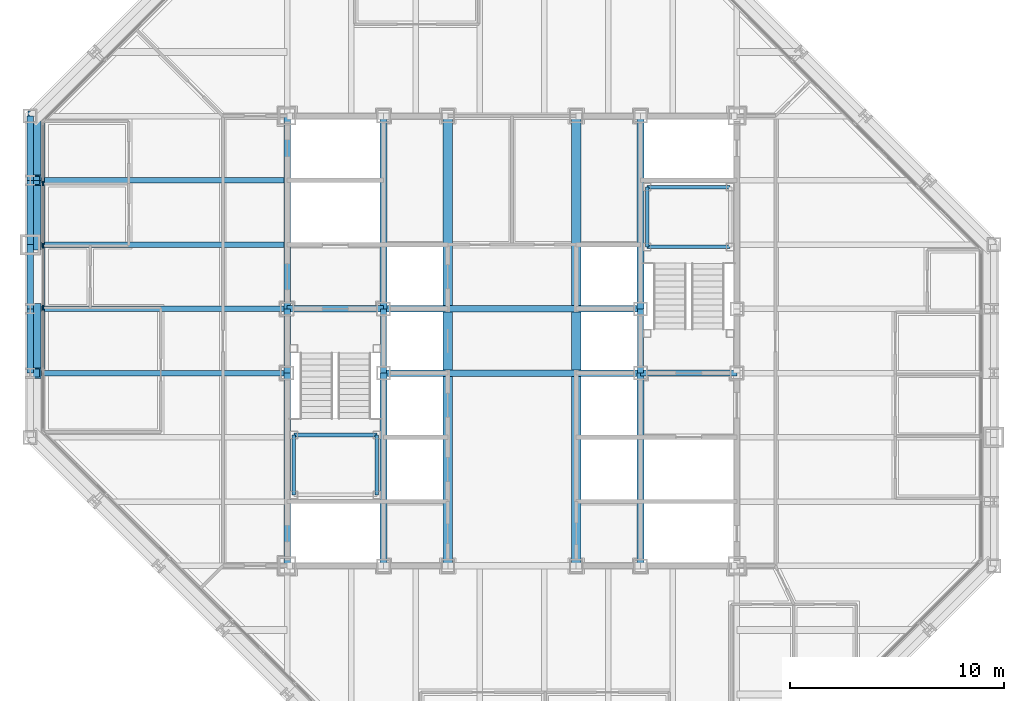
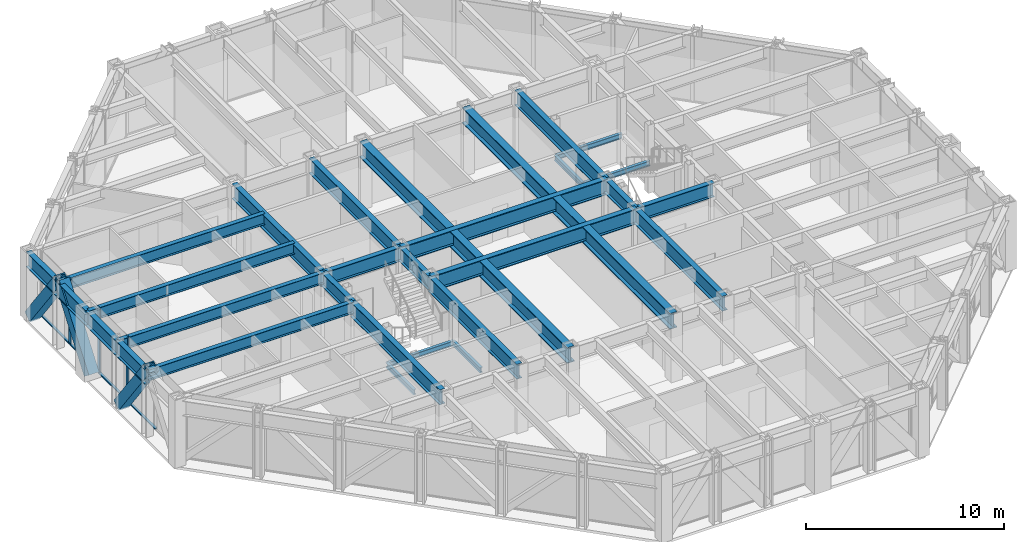
# One storey, part 6 of 16: 33 beams, 10 members, 1 element without a shape of its own.
"""IFC4 building model written with IfcOpenShell, lengths in metres."""

from ifc_helpers import new_model, si_unit, direction, frame, origin, origin_2d, place, context, subcontext, project, spatial, rectangle, hollow_rectangle, i_section, extrude, material, layer, layer_set, material_profile, profile_set, type_object, element, aggregate, save


model = new_model("IFC4")

# Units and contexts
model_context = context("Model", 3, precision=1e-05, world=origin(), true_north=direction((0.0, 1.0)))
body_context = subcontext(model_context, "Body", "Model", "MODEL_VIEW")
ifc_project = project(units=[si_unit("LENGTHUNIT", "METRE"), si_unit("AREAUNIT", "SQUARE_METRE"), si_unit("VOLUMEUNIT", "CUBIC_METRE"), si_unit("PLANEANGLEUNIT", "RADIAN"), si_unit("MASSUNIT", "GRAM", prefix="KILO")], contexts=[model_context])

# Site, building, storey
site_placement = place(None, origin())
site = spatial("IfcSite", under=ifc_project, at=site_placement, CompositionType="ELEMENT")
building_placement = place(site_placement, origin())
building = spatial("IfcBuilding", under=site, at=building_placement, Name="Chuquiago Exchange Tower", CompositionType="ELEMENT")
storey_placement = place(building_placement, frame((0.0, 0.0, 213.89990234375)))
storey = spatial("IfcBuildingStorey", under=building, at=storey_placement, Name="L47", CompositionType="ELEMENT", Elevation=213.89990234375)

# Beams
ifc_material_1 = material(Name="Steel ASTM A992", Category="steel")
ifc_material_profile_1 = material_profile(ifc_material_1, i_section(OverallWidth=0.25390625, OverallDepth=0.683349609375, WebThickness=0.012451171875, FlangeThickness=0.018798828125, at=origin_2d()), Name="W27X94")
ifc_profile_set_1 = profile_set([ifc_material_profile_1], Name="Steel ASTM A992")
beam_type_1 = type_object("IfcBeamType", Name="B1 W27X94", PredefinedType="BEAM", material=ifc_profile_set_1)
for number, where, z_axis, x_axis, name in (
    (1, (12.0, 21.0, 3.698486328125), (-1.0, 0.0, 0.0), (0.0, -1.0, 0.0), "FB-L48-infill-12_21--0_21-0"),
    (2, (12.0, 24.0, 3.698486328125), (-1.0, 0.0, 0.0), (0.0, -1.0, 0.0), "FB-L48-infill-12_24--0_24-0"),
    (3, (12.0, 27.0, 3.698486328125), (-1.0, 0.0, 0.0), (0.0, -1.0, 0.0), "FB-L48-infill-12_27--0_27-0"),
    (4, (12.0, 30.0, 3.698486328125), (-1.0, 0.0, 0.0), (0.0, -1.0, 0.0), "FB-L48-infill-12_30--0_30-0"),
):
    element("IfcBeam", number, at=place(storey_placement, frame(where, z_axis=z_axis, x_axis=x_axis)), inside=storey, type_object=beam_type_1, Name=name, PredefinedType="BEAM", context=body_context, shape_type="SweptSolid", body=[
        extrude(i_section(OverallWidth=0.25390625, OverallDepth=0.683349609375, WebThickness=0.012451171875, FlangeThickness=0.018798828125, at=origin_2d()), origin(), (0.0, 0.0, 1.0), 12.0),
    ])
ifc_material_2 = material(Name="Steel ASTM A992", Category="steel")
ifc_material_profile_2 = material_profile(ifc_material_2, i_section(OverallWidth=0.307373046875, OverallDepth=0.927001953125, WebThickness=0.01953125, FlangeThickness=0.031982421875, at=origin_2d()), Name="W36X194")
ifc_profile_set_2 = profile_set([ifc_material_profile_2], Name="Steel ASTM A992")
beam_type_2 = type_object("IfcBeamType", Name="B10 W36X194", PredefinedType="BEAM", material=ifc_profile_set_2)
for number, where, z_axis, x_axis, name in (
    (5, (12.0, 12.0, 3.576416015625), (0.0, 1.0, 0.0), (-1.0, 0.0, 0.0), "CB-L48-12_12-12_21"),
    (6, (12.0, 24.0, 3.576416015625), (0.0, 1.0, 0.0), (-1.0, 0.0, 0.0), "CB-L48-12_24-12_33"),
    (7, (16.5, 12.0, 3.576416015625), (0.0, 1.0, 0.0), (-1.0, 0.0, 0.0), "CB-L48-16.5_12-16.5_21"),
    (8, (16.5, 24.0, 3.576416015625), (0.0, 1.0, 0.0), (-1.0, 0.0, 0.0), "CB-L48-16.5_24-16.5_33"),
    (9, (28.5, 12.0, 3.576416015625), (0.0, 1.0, 0.0), (-1.0, 0.0, 0.0), "CB-L48-28.5_12-28.5_21"),
    (10, (28.5, 24.0, 3.576416015625), (0.0, 1.0, 0.0), (-1.0, 0.0, 0.0), "CB-L48-28.5_24-28.5_33"),
):
    element("IfcBeam", number, at=place(storey_placement, frame(where, z_axis=z_axis, x_axis=x_axis)), inside=storey, type_object=beam_type_2, Name=name, PredefinedType="BEAM", context=body_context, shape_type="SweptSolid", body=[
        extrude(i_section(OverallWidth=0.307373046875, OverallDepth=0.927001953125, WebThickness=0.01953125, FlangeThickness=0.031982421875, at=origin_2d()), origin(), (0.0, 0.0, 1.0), 9.0),
    ])
ifc_material_3 = material(Name="Steel ASTM A992", Category="steel")
ifc_material_profile_3 = material_profile(ifc_material_3, i_section(OverallWidth=0.309814453125, OverallDepth=0.949951171875, WebThickness=0.0244140625, FlangeThickness=0.0439453125, at=origin_2d()), Name="W36X256")
ifc_profile_set_3 = profile_set([ifc_material_profile_3], Name="Steel ASTM A992")
beam_type_3 = type_object("IfcBeamType", Name="B11 W36X256", PredefinedType="BEAM", material=ifc_profile_set_3)
for number, where, z_axis, x_axis, name in (
    (11, (16.5, 21.0, 3.565185546875), (1.0, 0.0, 0.0), (0.0, 1.0, 0.0), "CB-L48-16.5_21-28.5_21"),
    (12, (16.5, 24.0, 3.565185546875), (1.0, 0.0, 0.0), (0.0, 1.0, 0.0), "CB-L48-16.5_24-28.5_24"),
):
    element("IfcBeam", number, at=place(storey_placement, frame(where, z_axis=z_axis, x_axis=x_axis)), inside=storey, type_object=beam_type_3, Name=name, PredefinedType="BEAM", context=body_context, shape_type="SweptSolid", body=[
        extrude(i_section(OverallWidth=0.309814453125, OverallDepth=0.949951171875, WebThickness=0.0244140625, FlangeThickness=0.0439453125, at=origin_2d()), origin(), (0.0, 0.0, 1.0), 12.0),
    ])
ifc_material_4 = material(Name="Steel ASTM A992", Category="steel")
ifc_material_profile_4 = material_profile(ifc_material_4, i_section(OverallWidth=0.4267578125, OverallDepth=0.975341796875, WebThickness=0.031005859375, FlangeThickness=0.055908203125, at=origin_2d()), Name="W36X395")
ifc_profile_set_4 = profile_set([ifc_material_profile_4], Name="Steel ASTM A992")
beam_type_4 = type_object("IfcBeamType", Name="B12 W36X395", PredefinedType="BEAM", material=ifc_profile_set_4)
beam_1_placement = place(storey_placement, frame((19.5, 12.0, 3.552490234375), z_axis=(0.0, 1.0, 0.0), x_axis=(-1.0, 0.0, 0.0)))
element("IfcBeam", 13, at=beam_1_placement, inside=storey, type_object=beam_type_4, Name="CB-L48-19.5_12-19.5_20.8451", PredefinedType="BEAM", context=body_context, shape_type="SweptSolid", body=[
    extrude(i_section(OverallWidth=0.4267578125, OverallDepth=0.975341796875, WebThickness=0.031005859375, FlangeThickness=0.055908203125, at=origin_2d()), origin(), (0.0, 0.0, 1.0), 8.84521484375),
])
beam_2_placement = place(storey_placement, frame((19.5, 21.15478515625, 3.552490234375), z_axis=(0.0, 1.0, 0.0), x_axis=(-1.0, 0.0, 0.0)))
element("IfcBeam", 14, at=beam_2_placement, inside=storey, type_object=beam_type_4, Name="CB-L48-19.5_21.1549-19.5_23.8451", PredefinedType="BEAM", context=body_context, shape_type="SweptSolid", body=[
    extrude(i_section(OverallWidth=0.4267578125, OverallDepth=0.975341796875, WebThickness=0.031005859375, FlangeThickness=0.055908203125, at=origin_2d()), origin(), (0.0, 0.0, 1.0), 2.6904296875),
])
for number, where, z_axis, x_axis, name in (
    (15, (19.5, 24.15478515625, 3.552490234375), (0.0, 1.0, 0.0), (-1.0, 0.0, 0.0), "CB-L48-19.5_24.1549-19.5_33"),
    (16, (25.5, 12.0, 3.552490234375), (0.0, 1.0, 0.0), (-1.0, 0.0, 0.0), "CB-L48-25.5_12-25.5_20.8451"),
):
    element("IfcBeam", number, at=place(storey_placement, frame(where, z_axis=z_axis, x_axis=x_axis)), inside=storey, type_object=beam_type_4, Name=name, PredefinedType="BEAM", context=body_context, shape_type="SweptSolid", body=[
        extrude(i_section(OverallWidth=0.4267578125, OverallDepth=0.975341796875, WebThickness=0.031005859375, FlangeThickness=0.055908203125, at=origin_2d()), origin(), (0.0, 0.0, 1.0), 8.84521484375),
    ])
beam_3_placement = place(storey_placement, frame((25.5, 21.15478515625, 3.552490234375), z_axis=(0.0, 1.0, 0.0), x_axis=(-1.0, 0.0, 0.0)))
element("IfcBeam", 17, at=beam_3_placement, inside=storey, type_object=beam_type_4, Name="CB-L48-25.5_21.1549-25.5_23.8451", PredefinedType="BEAM", context=body_context, shape_type="SweptSolid", body=[
    extrude(i_section(OverallWidth=0.4267578125, OverallDepth=0.975341796875, WebThickness=0.031005859375, FlangeThickness=0.055908203125, at=origin_2d()), origin(), (0.0, 0.0, 1.0), 2.6904296875),
])
beam_4_placement = place(storey_placement, frame((25.5, 24.15478515625, 3.552490234375), z_axis=(0.0, 1.0, 0.0), x_axis=(-1.0, 0.0, 0.0)))
element("IfcBeam", 18, at=beam_4_placement, inside=storey, type_object=beam_type_4, Name="CB-L48-25.5_24.1549-25.5_33", PredefinedType="BEAM", context=body_context, shape_type="SweptSolid", body=[
    extrude(i_section(OverallWidth=0.4267578125, OverallDepth=0.975341796875, WebThickness=0.031005859375, FlangeThickness=0.055908203125, at=origin_2d()), origin(), (0.0, 0.0, 1.0), 8.84521484375),
])
ifc_material_5 = material(Name="Steel ASTM A992", Category="steel")
ifc_material_profile_5 = material_profile(ifc_material_5, i_section(OverallWidth=0.2919921875, OverallDepth=0.8583984375, WebThickness=0.01708984375, FlangeThickness=0.031005859375, at=origin_2d()), Name="W33X169")
ifc_profile_set_5 = profile_set([ifc_material_profile_5], Name="Steel ASTM A992")
beam_type_5 = type_object("IfcBeamType", Name="B3 W33X169", PredefinedType="BEAM", material=ifc_profile_set_5)
for number, where, z_axis, x_axis, name in (
    (19, (12.0, 21.0, 3.61083984375), (0.0, 1.0, 0.0), (-1.0, 0.0, 0.0), "CB-L48-12_21-12_24"),
    (20, (16.5, 21.0, 3.61083984375), (0.0, 1.0, 0.0), (-1.0, 0.0, 0.0), "CB-L48-16.5_21-16.5_24"),
    (21, (28.5, 21.0, 3.61083984375), (0.0, 1.0, 0.0), (-1.0, 0.0, 0.0), "CB-L48-28.5_21-28.5_24"),
):
    element("IfcBeam", number, at=place(storey_placement, frame(where, z_axis=z_axis, x_axis=x_axis)), inside=storey, type_object=beam_type_5, Name=name, PredefinedType="BEAM", context=body_context, shape_type="SweptSolid", body=[
        extrude(i_section(OverallWidth=0.2919921875, OverallDepth=0.8583984375, WebThickness=0.01708984375, FlangeThickness=0.031005859375, at=origin_2d()), origin(), (0.0, 0.0, 1.0), 3.0),
    ])
for number, where, z_axis, x_axis, name in (
    (22, (28.5, 21.0, 3.61083984375), (1.0, 0.0, 0.0), (0.0, 1.0, 0.0), "CB-L48-28.5_21-33_21"),
    (23, (12.0, 24.0, 3.61083984375), (1.0, 0.0, 0.0), (0.0, 1.0, 0.0), "CB-L48-12_24-16.5_24"),
):
    element("IfcBeam", number, at=place(storey_placement, frame(where, z_axis=z_axis, x_axis=x_axis)), inside=storey, type_object=beam_type_5, Name=name, PredefinedType="BEAM", context=body_context, shape_type="SweptSolid", body=[
        extrude(i_section(OverallWidth=0.2919921875, OverallDepth=0.8583984375, WebThickness=0.01708984375, FlangeThickness=0.031005859375, at=origin_2d()), origin(), (0.0, 0.0, 1.0), 4.5),
    ])

# Curtain wall, members
ifc_material_6 = material(Name="Aluminium curtain wall system", Category="aluminium")
ifc_layer = layer(ifc_material_6, 0.22509765625)
ifc_layer_set = layer_set([ifc_layer], Name="CW2 office curtain wall")
curtain_wall_type = type_object("IfcCurtainWallType", Name="CW2 office curtain wall", PredefinedType="NOTDEFINED", material=ifc_layer_set)
curtain_wall_placement = place(storey_placement, origin())
curtain_wall = element("IfcCurtainWall", 24, at=curtain_wall_placement, inside=storey, type_object=curtain_wall_type, Name="CW2 curtain wall L47", PredefinedType="NOTDEFINED")
ifc_material_7 = material(Name="Aluminium mullion, pale anodised", Category="aluminium")
ifc_material_profile_6 = material_profile(ifc_material_7, rectangle(XDim=0.06494140625, YDim=0.22509765625, at=origin_2d()), Name="AL 65x225")
ifc_profile_set_6 = profile_set([ifc_material_profile_6], Name="Aluminium mullion, pale anodised")
member_type_1 = type_object("IfcMemberType", Name="CW2-M mullion 65x225", PredefinedType="MULLION", material=ifc_profile_set_6)
member_1_placement = place(storey_placement, frame((0.60009765625, 29.850830078125, 0.0), z_axis=(0.0, 0.0, 1.0), x_axis=(1.0, 0.0, 0.0)))
member_1 = element("IfcMember", 25, at=member_1_placement, type_object=member_type_1, Name="CW2 mullion 2", PredefinedType="MULLION", context=body_context, shape_type="SweptSolid", body=[
    extrude(rectangle(XDim=0.06494140625, YDim=0.22509765625, at=origin_2d()), origin(), (0.0, 0.0, 1.0), 4.0400390625),
])
member_2_placement = place(storey_placement, frame((0.60009765625, 26.9501953125, 0.0), z_axis=(0.0, 0.0, 1.0), x_axis=(1.0, 0.0, 0.0)))
member_2 = element("IfcMember", 26, at=member_2_placement, type_object=member_type_1, Name="CW2 mullion 3", PredefinedType="MULLION", context=body_context, shape_type="SweptSolid", body=[
    extrude(rectangle(XDim=0.06494140625, YDim=0.22509765625, at=origin_2d()), origin(), (0.0, 0.0, 1.0), 4.0400390625),
])
member_3_placement = place(storey_placement, frame((0.60009765625, 24.0498046875, 0.0), z_axis=(0.0, 0.0, 1.0), x_axis=(1.0, 0.0, 0.0)))
member_3 = element("IfcMember", 27, at=member_3_placement, type_object=member_type_1, Name="CW2 mullion 4", PredefinedType="MULLION", context=body_context, shape_type="SweptSolid", body=[
    extrude(rectangle(XDim=0.06494140625, YDim=0.22509765625, at=origin_2d()), origin(), (0.0, 0.0, 1.0), 4.0400390625),
])
ifc_material_8 = material(Name="Aluminium transom, pale anodised", Category="aluminium")
ifc_material_profile_7 = material_profile(ifc_material_8, rectangle(XDim=0.139892578125, YDim=0.06494140625, at=origin_2d()), Name="AL 140x65")
ifc_profile_set_7 = profile_set([ifc_material_profile_7], Name="Aluminium transom, pale anodised")
member_type_2 = type_object("IfcMemberType", Name="CW2-T transom 65x140", PredefinedType="MULLION", material=ifc_profile_set_7)
member_4_placement = place(storey_placement, frame((0.60009765625, 32.6865234375, 0.03271484375), z_axis=(0.0, -1.0, 0.0), x_axis=(1.0, 0.0, 0.0)))
member_4 = element("IfcMember", 28, at=member_4_placement, type_object=member_type_2, Name="CW2 transom 1.1", PredefinedType="MULLION", context=body_context, shape_type="SweptSolid", body=[
    extrude(rectangle(XDim=0.139892578125, YDim=0.06494140625, at=origin_2d()), origin(), (0.0, 0.0, 1.0), 2.80322265625),
])
member_5_placement = place(storey_placement, frame((0.60009765625, 29.818359375, 0.03271484375), z_axis=(0.0, -1.0, 0.0), x_axis=(1.0, 0.0, 0.0)))
member_5 = element("IfcMember", 29, at=member_5_placement, type_object=member_type_2, Name="CW2 transom 2.1", PredefinedType="MULLION", context=body_context, shape_type="SweptSolid", body=[
    extrude(rectangle(XDim=0.139892578125, YDim=0.06494140625, at=origin_2d()), origin(), (0.0, 0.0, 1.0), 2.83544921875),
])
member_6_placement = place(storey_placement, frame((0.60009765625, 26.917724609375, 0.03271484375), z_axis=(0.0, -1.0, 0.0), x_axis=(1.0, 0.0, 0.0)))
member_6 = element("IfcMember", 30, at=member_6_placement, type_object=member_type_2, Name="CW2 transom 3.1", PredefinedType="MULLION", context=body_context, shape_type="SweptSolid", body=[
    extrude(rectangle(XDim=0.139892578125, YDim=0.06494140625, at=origin_2d()), origin(), (0.0, 0.0, 1.0), 2.83544921875),
])
member_7_placement = place(storey_placement, frame((0.60009765625, 24.01708984375, 0.03271484375), z_axis=(0.0, -1.0, 0.0), x_axis=(1.0, 0.0, 0.0)))
member_7 = element("IfcMember", 31, at=member_7_placement, type_object=member_type_2, Name="CW2 transom 4.1", PredefinedType="MULLION", context=body_context, shape_type="SweptSolid", body=[
    extrude(rectangle(XDim=0.139892578125, YDim=0.06494140625, at=origin_2d()), origin(), (0.0, 0.0, 1.0), 2.83544921875),
])
aggregate(curtain_wall, [member_1, member_2, member_3, member_4, member_5, member_6, member_7])

# Beams
ifc_material_9 = material(Name="Steel ASTM A992", Category="steel")
ifc_material_profile_8 = material_profile(ifc_material_9, i_section(OverallWidth=0.164794921875, OverallDepth=0.309814453125, WebThickness=0.005859375, FlangeThickness=0.009765625, at=origin_2d()), Name="W12X26")
ifc_profile_set_8 = profile_set([ifc_material_profile_8], Name="Steel ASTM A992")
beam_type_6 = type_object("IfcBeamType", Name="LS1 W12X26", PredefinedType="BEAM", material=ifc_profile_set_8)
for number, where, z_axis, x_axis, name in (
    (32, (12.31005859375, 15.31005859375, 1.7451171875), (0.0, 1.0, 0.0), (-1.0, 0.0, 0.0), "Stair ST1 L47 landing 1 stringer"),
    (33, (16.18994140625, 15.31005859375, 1.7451171875), (0.0, 1.0, 0.0), (-1.0, 0.0, 0.0), "Stair ST1 L47 landing 1 stringer"),
    (34, (28.81005859375, 26.889892578125, 1.7451171875), (0.0, 1.0, 0.0), (-1.0, 0.0, 0.0), "Stair ST2 L47 landing 1 stringer"),
):
    element("IfcBeam", number, at=place(storey_placement, frame(where, z_axis=z_axis, x_axis=x_axis)), inside=storey, type_object=beam_type_6, Name=name, PredefinedType="BEAM", context=body_context, shape_type="SweptSolid", body=[
        extrude(i_section(OverallWidth=0.164794921875, OverallDepth=0.309814453125, WebThickness=0.005859375, FlangeThickness=0.009765625, at=origin_2d()), origin(), (0.0, 0.0, 1.0), 2.800048828125),
    ])
ifc_material_10 = material(Name="Steel ASTM A992", Category="steel")
ifc_material_profile_9 = material_profile(ifc_material_10, i_section(OverallWidth=0.164794921875, OverallDepth=0.309814453125, WebThickness=0.005859375, FlangeThickness=0.009765625, at=origin_2d()), Name="W12X26")
ifc_profile_set_9 = profile_set([ifc_material_profile_9], Name="Steel ASTM A992")
beam_type_7 = type_object("IfcBeamType", Name="LT1 W12X26", PredefinedType="BEAM", material=ifc_profile_set_9)
for number, where, z_axis, x_axis, name in (
    (35, (12.31005859375, 18.110107421875, 1.7451171875), (1.0, 0.0, 0.0), (0.0, 1.0, 0.0), "Stair ST1 L47 landing 1 trimmer"),
    (36, (28.81005859375, 29.68994140625, 1.7451171875), (1.0, 0.0, 0.0), (0.0, 1.0, 0.0), "Stair ST2 L47 landing 1 trimmer"),
    (37, (28.81005859375, 26.889892578125, 1.7451171875), (1.0, 0.0, 0.0), (0.0, 1.0, 0.0), "Stair ST2 L47 landing 1 trimmer"),
):
    element("IfcBeam", number, at=place(storey_placement, frame(where, z_axis=z_axis, x_axis=x_axis)), inside=storey, type_object=beam_type_7, Name=name, PredefinedType="BEAM", context=body_context, shape_type="SweptSolid", body=[
        extrude(i_section(OverallWidth=0.164794921875, OverallDepth=0.309814453125, WebThickness=0.005859375, FlangeThickness=0.009765625, at=origin_2d()), origin(), (0.0, 0.0, 1.0), 3.8798828125),
    ])

# Members
ifc_material_11 = material(Name="Steel ASTM A572 Grade 50", Category="steel")
ifc_material_profile_10 = material_profile(ifc_material_11, hollow_rectangle(XDim=0.60009765625, YDim=0.60009765625, WallThickness=0.06005859375, at=origin_2d()), Name="BOX600X600X60")
ifc_profile_set_10 = profile_set([ifc_material_profile_10], Name="Steel ASTM A572 Grade 50")
member_type_3 = type_object("IfcMemberType", Name="MB3 BOX600X600X60", PredefinedType="BRACE", material=ifc_profile_set_10)
for number, where, z_axis, x_axis, name in (
    (38, (0.205078125, 33.0, 0.0), (0.0, -0.596173923302, 0.802855312728), (1.0, 0.0, 0.0), "Mega diagonal L47 W face"),
    (39, (0.205078125, 27.0, 0.0), (0.0, 0.596173923302, 0.802855312728), (-1.0, 0.0, 0.0), "Mega diagonal L47 W face"),
    (40, (0.205078125, 24.0, 0.0), (0.0, -0.596173923302, 0.802855312728), (1.0, 0.0, 0.0), "Mega diagonal L47 W face"),
):
    element("IfcMember", number, at=place(storey_placement, frame(where, z_axis=z_axis, x_axis=x_axis)), inside=storey, type_object=member_type_3, Name=name, PredefinedType="BRACE", context=body_context, shape_type="SweptSolid", body=[
        extrude(hollow_rectangle(XDim=0.60009765625, YDim=0.60009765625, WallThickness=0.06005859375, at=origin_2d()), origin(), (0.0, 0.0, 1.0), 5.031982421875),
    ])

# Beams
ifc_material_12 = material(Name="Steel ASTM A992", Category="steel")
ifc_material_profile_11 = material_profile(ifc_material_12, i_section(OverallWidth=0.307373046875, OverallDepth=0.927001953125, WebThickness=0.01953125, FlangeThickness=0.031982421875, at=origin_2d()), Name="W36X194")
ifc_profile_set_11 = profile_set([ifc_material_profile_11], Name="Steel ASTM A992")
beam_type_8 = type_object("IfcBeamType", Name="SP3 W36X194", PredefinedType="SPANDREL", material=ifc_profile_set_11)
for number, where, z_axis, x_axis, name in (
    (41, (0.0, 33.0, 3.576416015625), (0.0, -1.0, 0.0), (1.0, 0.0, 0.0), "SPB-L48-0_33-0_30"),
    (42, (0.0, 30.0, 3.576416015625), (0.0, -1.0, 0.0), (1.0, 0.0, 0.0), "SPB-L48-0_30-0_27"),
    (43, (0.0, 27.0, 3.576416015625), (0.0, -1.0, 0.0), (1.0, 0.0, 0.0), "SPB-L48-0_27-0_24"),
    (44, (0.0, 24.0, 3.576416015625), (0.0, -1.0, 0.0), (1.0, 0.0, 0.0), "SPB-L48-0_24-0_21"),
):
    element("IfcBeam", number, at=place(storey_placement, frame(where, z_axis=z_axis, x_axis=x_axis)), inside=storey, type_object=beam_type_8, Name=name, PredefinedType="SPANDREL", context=body_context, shape_type="SweptSolid", body=[
        extrude(i_section(OverallWidth=0.307373046875, OverallDepth=0.927001953125, WebThickness=0.01953125, FlangeThickness=0.031982421875, at=origin_2d()), origin(), (0.0, 0.0, 1.0), 3.0),
    ])

save(model, "model.ifc")
